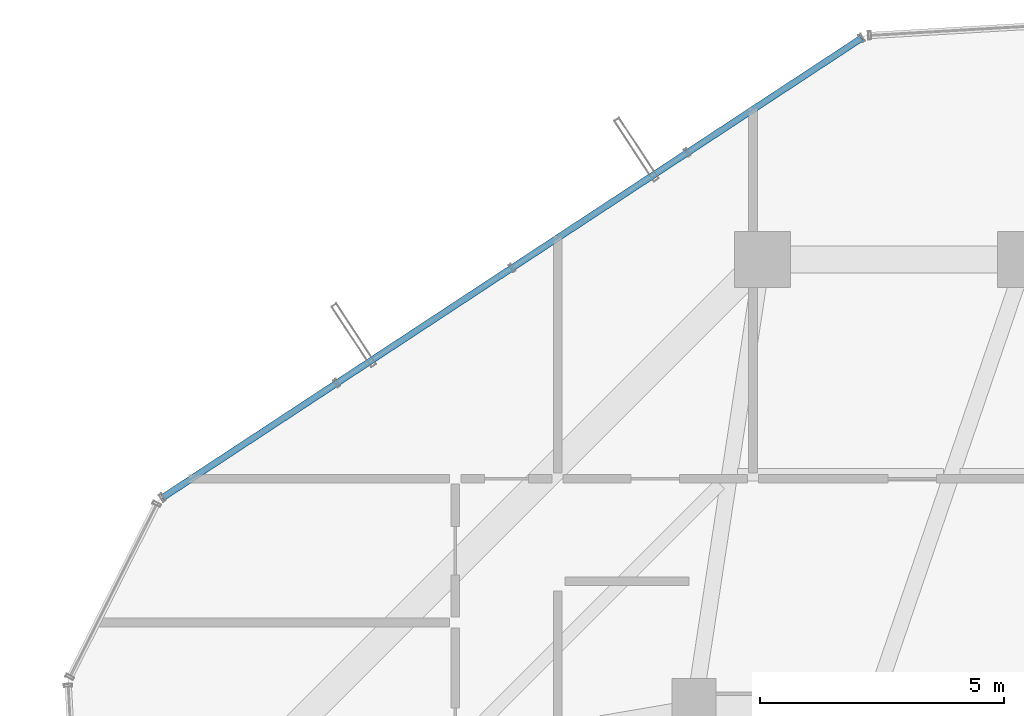
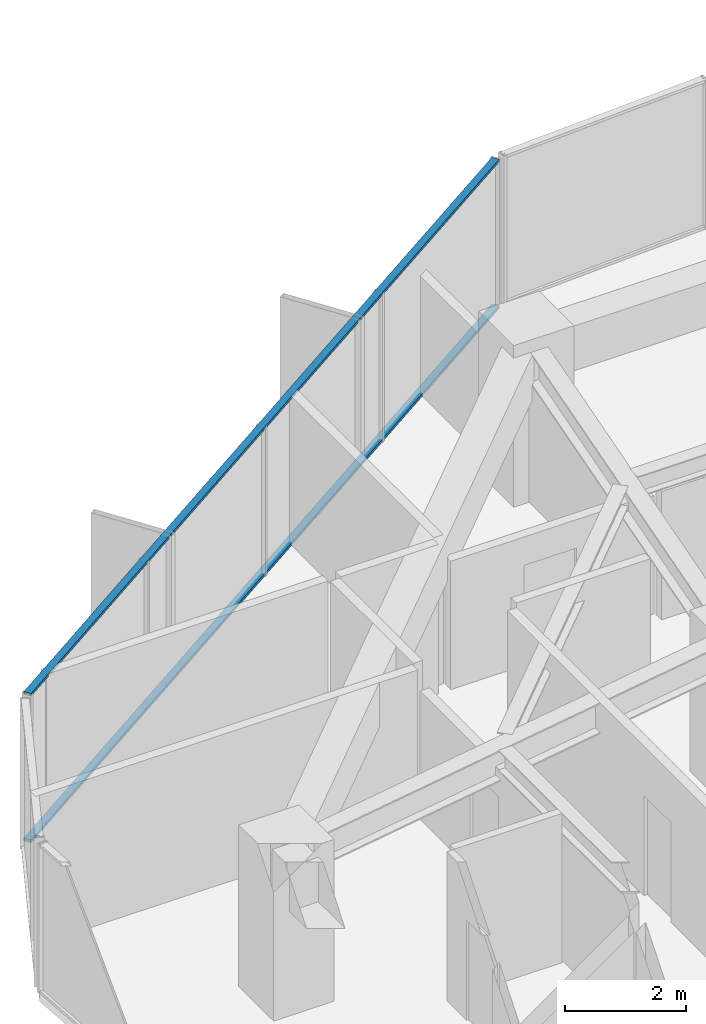
# One storey, part 20 of 33: 2 members, 1 element without a shape of its own.
"""IFC4 building model written with IfcOpenShell, lengths in metres."""

from ifc_helpers import new_model, si_unit, direction, frame, origin, origin_2d, place, context, subcontext, project, spatial, hollow_rectangle, extrude, source, transform, mapped, material, layer, layer_set, material_profile, profile_set, type_object, element, aggregate, save


model = new_model("IFC4")

# Units and contexts
model_context = context("Model", 3, precision=1e-05, world=origin(), true_north=direction((0.0, 1.0)))
body_context = subcontext(model_context, "Body", "Model", "MODEL_VIEW")
ifc_project = project(units=[si_unit("LENGTHUNIT", "METRE"), si_unit("AREAUNIT", "SQUARE_METRE"), si_unit("VOLUMEUNIT", "CUBIC_METRE"), si_unit("PLANEANGLEUNIT", "RADIAN"), si_unit("MASSUNIT", "GRAM", prefix="KILO")], contexts=[model_context])

# Site, building, storey
site_placement = place(None, origin())
site = spatial("IfcSite", under=ifc_project, at=site_placement, CompositionType="ELEMENT")
building_placement = place(site_placement, origin())
building = spatial("IfcBuilding", under=site, at=building_placement, Name="Veraguas Prism Commons", CompositionType="ELEMENT")
storey_placement = place(building_placement, frame((0.0, 0.0, 139.25)))
storey = spatial("IfcBuildingStorey", under=building, at=storey_placement, Name="L39", CompositionType="ELEMENT", Elevation=139.25)

# Curtain wall, members
ifc_material = material(Name="Anodised aluminium EN AW-6063 T6", Category="aluminium")
ifc_layer = layer(ifc_material, 0.169921875, Name="Unitised Flush Curtain Wall Zone 2", Category="aluminium")
ifc_layer_set = layer_set([ifc_layer], Name="Anodised aluminium EN AW-6063 T6")
curtain_wall_type = type_object("IfcCurtainWallType", Name="Unitised Flush Curtain Wall Zone 2", PredefinedType="NOTDEFINED", material=ifc_layer_set)
curtain_wall_placement = place(storey_placement, origin())
curtain_wall = element("IfcCurtainWall", 1, at=curtain_wall_placement, inside=storey, type_object=curtain_wall_type, Name="Tower Facade Curtain Wall L39-F2", PredefinedType="NOTDEFINED")
ifc_material_profile = material_profile(ifc_material, hollow_rectangle(XDim=0.054931640625, YDim=0.135009765625, WallThickness=0.0029296875, at=origin_2d()), Name="AL55X135X3")
ifc_profile_set = profile_set([ifc_material_profile], Name="Anodised aluminium EN AW-6063 T6")
member_type = type_object("IfcMemberType", Name="Curtain Wall Transom Standard AL 55x135x3", PredefinedType="USERDEFINED", material=ifc_profile_set)
shared_shape = source(origin(), body_context, "Body", "SweptSolid", [
    extrude(hollow_rectangle(XDim=0.054931640625, YDim=0.135009765625, WallThickness=0.0029296875, at=origin_2d()), origin(), (0.0, 0.0, 1.0), 17.174560546875),
])
member_1_placement = place(storey_placement, frame((20.638427734375, 44.746337890625, 0.027587890625), z_axis=(-0.835619537255, -0.549308646353, 0.0), x_axis=(0.0, 0.0, 1.0)))
member_1 = element("IfcMember", 2, at=member_1_placement, type_object=member_type, Name="CW-Z2 Transom 1", ObjectType="TRANSOM", PredefinedType="USERDEFINED", context=body_context, shape_type="MappedRepresentation", body=[
    mapped(shared_shape, transform((0.0, 0.0, 0.0), scale=1.0)),
])
member_2_placement = place(storey_placement, frame((20.638427734375, 44.746337890625, 2.972412109375), z_axis=(-0.835619537255, -0.549308646353, 0.0), x_axis=(0.0, 0.0, 1.0)))
member_2 = element("IfcMember", 3, at=member_2_placement, type_object=member_type, Name="CW-Z2 Transom 2", ObjectType="TRANSOM", PredefinedType="USERDEFINED", context=body_context, shape_type="MappedRepresentation", body=[
    mapped(shared_shape, transform((0.0, 0.0, 0.0), scale=1.0)),
])
aggregate(curtain_wall, [member_1, member_2])

save(model, "model.ifc")
